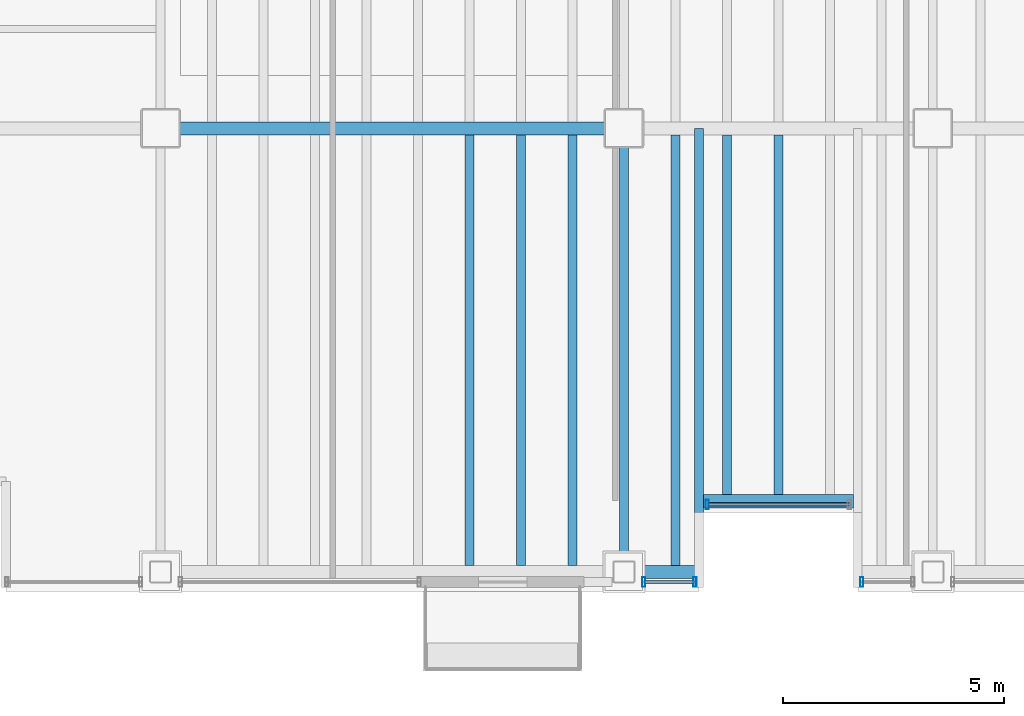
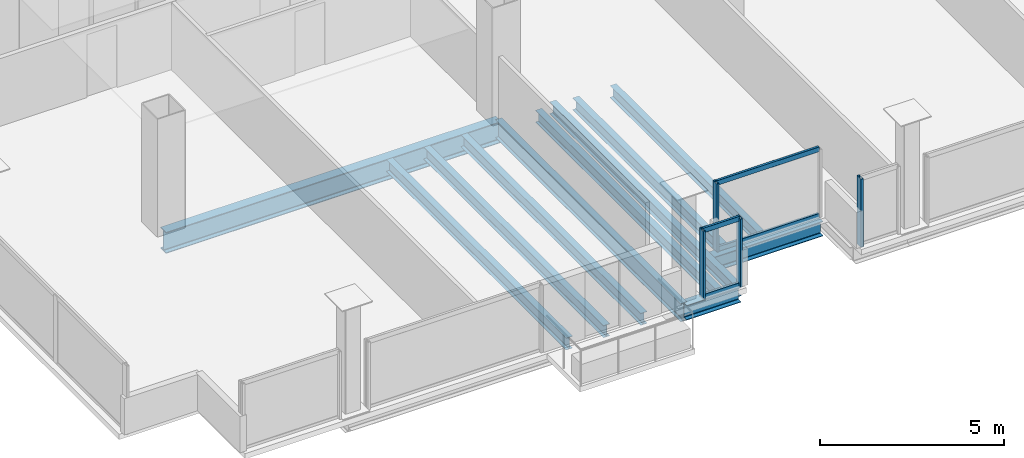
# One storey, part 4 of 21: 11 beams, 8 members, 3 elements without a shape of their own.
"""IFC4 building model written with IfcOpenShell, lengths in metres."""

import ifcopenshell
import ifcopenshell.guid

model = None  # the IFC model being written
_history = None  # IfcOwnerHistory: only IFC2X3 demands one
_inside = {}  # id of a spatial element -> (the spatial element, [elements in it])
_under = {}  # id of a project, library or spatial element -> (it, [spatial elements below it])
_declared = {}  # id of a project -> (the project, [libraries it declares])
_typed = {}  # id of a type object -> (the type object, [elements of that type])
_made_of = {}  # id of a material, layer set ... -> (it, [elements and type objects made of it])


def new_model(schema):
    """Start an empty IFC model of exactly this schema.

    Asked for "IFC4X3", IfcOpenShell would pick the latest addendum, in which some entities
    have other attributes; the version numbers below select the first issue.
    IFC2X3 requires an IfcOwnerHistory on every rooted entity: one is made here for all.
    """
    global model, _history
    if schema == "IFC4X3":
        model = ifcopenshell.file(schema_version=(4, 3, 0, 0))
    else:
        model = ifcopenshell.file(schema=schema)
    _inside.clear()
    _under.clear()
    _declared.clear()
    _typed.clear()
    _made_of.clear()
    _history = None
    if model.schema == "IFC2X3":
        org = make("IfcOrganization", Name="unknown")
        user = make(
            "IfcPersonAndOrganization",
            ThePerson=make("IfcPerson", FamilyName="unknown"),
            TheOrganization=org,
        )
        app = make(
            "IfcApplication",
            ApplicationDeveloper=org,
            Version="unknown",
            ApplicationFullName="unknown",
            ApplicationIdentifier="unknown",
        )
        _history = make(
            "IfcOwnerHistory",
            OwningUser=user,
            OwningApplication=app,
            ChangeAction="ADDED",
            CreationDate=0,
        )
    return model


def make(cls, **values):
    """One entity of the class cls with the attributes given. An attribute that is None is left unset."""
    return model.create_entity(
        cls, **{name: value for name, value in values.items() if value is not None}
    )


def rooted(cls, **values):
    """An entity with a GlobalId (a new one), such as an element, a storey or a relation."""
    return make(cls, GlobalId=ifcopenshell.guid.new(), OwnerHistory=_history, **values)


def si_unit(unit_type, name, prefix=None):
    """IfcSIUnit, for example si_unit("LENGTHUNIT", "METRE", prefix="MILLI")."""
    return make("IfcSIUnit", UnitType=unit_type, Prefix=prefix, Name=name)


def assignment(units):
    """IfcUnitAssignment: the units of a project."""
    return None if units is None else make("IfcUnitAssignment", Units=units)


def point(xyz):
    """IfcCartesianPoint."""
    return None if xyz is None else make("IfcCartesianPoint", Coordinates=xyz)


def direction(xyz):
    """IfcDirection."""
    return None if xyz is None else make("IfcDirection", DirectionRatios=xyz)


def frame(location, z_axis=None, x_axis=None):
    """IfcAxis2Placement3D, a coordinate frame: its origin and axes. An axis left out is left unset."""
    return make(
        "IfcAxis2Placement3D",
        Location=point(location),
        Axis=direction(z_axis),
        RefDirection=direction(x_axis),
    )


def frame_2d(location, x_axis=None):
    """IfcAxis2Placement2D, a coordinate frame in the plane: its origin and x axis."""
    return make(
        "IfcAxis2Placement2D", Location=point(location), RefDirection=direction(x_axis)
    )


def origin():
    """The frame at (0, 0, 0) with its axes left unset."""
    return frame((0.0, 0.0, 0.0))


def origin_2d():
    """The frame at (0, 0) in the plane with its x axis left unset."""
    return frame_2d((0.0, 0.0))


def place(relative_to, where):
    """IfcLocalPlacement: puts the frame where relative to a parent placement (None: the world)."""
    return make(
        "IfcLocalPlacement", PlacementRelTo=relative_to, RelativePlacement=where
    )


def context(
    kind, dimensions, precision=None, world=None, true_north=None, identifier=None
):
    """IfcGeometricRepresentationContext, for example the 3D "Model" context."""
    return make(
        "IfcGeometricRepresentationContext",
        ContextIdentifier=identifier,
        ContextType=kind,
        CoordinateSpaceDimension=dimensions,
        Precision=precision,
        WorldCoordinateSystem=world,
        TrueNorth=true_north,
    )


def subcontext(parent, identifier, kind, view, scale=None):
    """IfcGeometricRepresentationSubContext, for example "Body" below "Model"."""
    return make(
        "IfcGeometricRepresentationSubContext",
        ContextIdentifier=identifier,
        ContextType=kind,
        ParentContext=parent,
        TargetScale=scale,
        TargetView=view,
    )


def project(units=None, contexts=None):
    """IfcProject with its units and contexts."""
    return rooted(
        "IfcProject",
        Name="project",
        RepresentationContexts=contexts,
        UnitsInContext=assignment(units),
    )


def spatial(cls, under=None, at=None, **own):
    """A site, building, storey or space (cls), placed at a placement, below another one or the project."""
    s = rooted(cls, ObjectPlacement=at, **own)
    if under is not None:
        _under.setdefault(under.id(), (under, []))[1].append(s)
    return s


def profile(cls, at=None, kind="AREA", **sizes):
    """A parametric profile (cls). Its sizes go by their IFC names, for example OverallWidth=200.0."""
    return make(cls, ProfileType=kind, Position=at, **sizes)


def hollow_rectangle(**sizes):
    """IfcRectangleHollowProfileDef."""
    return profile("IfcRectangleHollowProfileDef", **sizes)


def i_section(**sizes):
    """IfcIShapeProfileDef."""
    return profile("IfcIShapeProfileDef", **sizes)


def extrude(swept, where, along, depth):
    """IfcExtrudedAreaSolid: the profile swept, set in the frame where, extruded along a direction by depth."""
    return make(
        "IfcExtrudedAreaSolid",
        SweptArea=swept,
        Position=where,
        ExtrudedDirection=direction(along),
        Depth=depth,
    )


def shape(context_of_items, identifier, shape_type, items):
    """IfcShapeRepresentation: the items that make up one representation, for example the "Body"."""
    return make(
        "IfcShapeRepresentation",
        ContextOfItems=context_of_items,
        RepresentationIdentifier=identifier,
        RepresentationType=shape_type,
        Items=items,
    )


def material(Name=None, Category=None):
    """IfcMaterial."""
    return make("IfcMaterial", Name=Name, Category=Category)


def material_profile(
    of_material, cross_section, Name=None, Category=None, Priority=None
):
    """IfcMaterialProfile: a cross section and its material."""
    return make(
        "IfcMaterialProfile",
        Name=Name,
        Material=of_material,
        Profile=cross_section,
        Priority=Priority,
        Category=Category,
    )


def profile_set(profiles, Name=None, composite=None):
    """IfcMaterialProfileSet."""
    return make(
        "IfcMaterialProfileSet",
        Name=Name,
        MaterialProfiles=profiles,
        CompositeProfile=composite,
    )


def made_of(thing, what):
    """Note that an element or type object is made of a material, layer set ...; save() writes the relation."""
    if what is not None:
        _made_of.setdefault(what.id(), (what, []))[1].append(thing)
    return thing


def type_object(cls, material=None, **own):
    """A type object (cls), such as IfcWallType, which elements share."""
    return made_of(rooted(cls, **own), material)


def element(
    cls,
    number,
    at=None,
    inside=None,
    cuts=None,
    type_object=None,
    material=None,
    context=None,
    identifier="Body",
    shape_type=None,
    held_by="IfcProductDefinitionShape",
    body=None,
    shapes=None,
    **own,
):
    """One element of the class cls, such as IfcWall. Its Tag is "e" and its number.

    at: its placement. inside: the storey or other place that contains it. cuts: it is an
    opening in that element (IfcRelVoidsElement). A single representation is given by context,
    identifier, shape_type and body (its items); several are given by shapes. held_by: the class
    of the entity that holds the representations. save() writes the other relations.
    """
    e = rooted(cls, Tag="e%d" % number, ObjectPlacement=at, **own)
    if body is not None:
        shapes = [shape(context, identifier, shape_type, body)]
    if shapes is not None:
        e.Representation = make(held_by, Representations=shapes)
    if inside is not None:
        _inside.setdefault(inside.id(), (inside, []))[1].append(e)
    if cuts is not None:
        rooted(
            "IfcRelVoidsElement", RelatingBuildingElement=cuts, RelatedOpeningElement=e
        )
    if type_object is not None:
        _typed.setdefault(type_object.id(), (type_object, []))[1].append(e)
    return made_of(e, material)


def aggregate(whole, parts):
    """IfcRelAggregates: a whole, such as a stair, and the parts it consists of."""
    return rooted("IfcRelAggregates", RelatingObject=whole, RelatedObjects=parts)


def save(model, path):
    """Write the relations noted so far, then the file.

    IfcRelAggregates (storeys below a building ...), IfcRelContainedInSpatialStructure (elements
    in a storey), IfcRelDefinesByType, IfcRelAssociatesMaterial and IfcRelDeclares: one each for
    every whole, place, type object, material and project.
    """
    for whole, parts in _under.values():
        aggregate(whole, parts)
    for where, things in _inside.values():
        rooted(
            "IfcRelContainedInSpatialStructure",
            RelatedElements=things,
            RelatingStructure=where,
        )
    for kind, things in _typed.values():
        rooted("IfcRelDefinesByType", RelatedObjects=things, RelatingType=kind)
    for what, things in _made_of.values():
        rooted("IfcRelAssociatesMaterial", RelatedObjects=things, RelatingMaterial=what)
    for by, libraries in _declared.values():
        rooted("IfcRelDeclares", RelatingContext=by, RelatedDefinitions=libraries)
    model.write(path)


model = new_model("IFC4")

# Units and contexts
model_context = context("Model", 3, precision=1e-05, world=origin(), true_north=direction((0.0, 1.0)))
body_context = subcontext(model_context, "Body", "Model", "MODEL_VIEW")
ifc_project = project(units=[si_unit("LENGTHUNIT", "METRE"), si_unit("AREAUNIT", "SQUARE_METRE"), si_unit("VOLUMEUNIT", "CUBIC_METRE"), si_unit("PLANEANGLEUNIT", "RADIAN"), si_unit("MASSUNIT", "GRAM", prefix="KILO")], contexts=[model_context])

# Site, building, storey
site_placement = place(None, origin())
site = spatial("IfcSite", under=ifc_project, at=site_placement, CompositionType="ELEMENT")
building_placement = place(site_placement, origin())
building = spatial("IfcBuilding", under=site, at=building_placement, Name="Noeulbin Bourse Tower", CompositionType="ELEMENT")
storey_placement = place(building_placement, frame((0.0, 0.0, 111.0)))
storey = spatial("IfcBuildingStorey", under=building, at=storey_placement, Name="L27", CompositionType="ELEMENT", Elevation=111.0)

# Beams
ifc_material_1 = material(Name="Steel S355", Category="steel")
ifc_material_profile_1 = material_profile(ifc_material_1, i_section(OverallWidth=0.199951171875, OverallDepth=0.60009765625, WebThickness=0.010986328125, FlangeThickness=0.01708984375, FilletRadius=0.02197265625, at=origin_2d()), Name="H-600x200x11x17", Category="LoadBearing")
ifc_profile_set_1 = profile_set([ifc_material_profile_1], Name="Steel S355")
beam_type_1 = type_object("IfcBeamType", Name="BM-GRD-600", PredefinedType="USERDEFINED", material=ifc_profile_set_1)
beam_1_placement = place(storey_placement, frame((24.0, 9.949951171875, -0.47998046875), z_axis=(0.0, 1.0, 0.0), x_axis=(-1.0, 0.0, 0.0)))
element("IfcBeam", 1, at=beam_1_placement, inside=storey, type_object=beam_type_1, Name="Tower Primary Girder NS L27-2.1", ObjectType="GIRDER", PredefinedType="USERDEFINED", context=body_context, shape_type="SweptSolid", body=[
    extrude(i_section(OverallWidth=0.199951171875, OverallDepth=0.60009765625, WebThickness=0.010986328125, FlangeThickness=0.01708984375, FilletRadius=0.02197265625, at=origin_2d()), origin(), (0.0, 0.0, 1.0), 10.050048828125),
])
ifc_material_profile_2 = material_profile(ifc_material_1, i_section(OverallWidth=0.300048828125, OverallDepth=0.699951171875, WebThickness=0.012939453125, FlangeThickness=0.02392578125, FilletRadius=0.02392578125, at=origin_2d()), Name="H-700x300x13x24", Category="LoadBearing")
ifc_profile_set_2 = profile_set([ifc_material_profile_2], Name="Steel S355")
beam_type_2 = type_object("IfcBeamType", Name="BM-GRD-700", PredefinedType="USERDEFINED", material=ifc_profile_set_2)
beam_2_placement = place(storey_placement, frame((13.5, 20.0, -0.530029296875), z_axis=(1.0, 0.0, 0.0), x_axis=(0.0, 1.0, 0.0)))
element("IfcBeam", 2, at=beam_2_placement, inside=storey, type_object=beam_type_2, Name="Tower Primary Girder EW L27-1.2", ObjectType="GIRDER", PredefinedType="USERDEFINED", context=body_context, shape_type="SweptSolid", body=[
    extrude(i_section(OverallWidth=0.300048828125, OverallDepth=0.699951171875, WebThickness=0.012939453125, FlangeThickness=0.02392578125, FilletRadius=0.02392578125, at=origin_2d()), origin(), (0.0, 0.0, 1.0), 10.5),
])
ifc_material_profile_3 = material_profile(ifc_material_1, i_section(OverallWidth=0.199951171875, OverallDepth=0.39990234375, WebThickness=0.008056640625, FlangeThickness=0.012939453125, FilletRadius=0.01611328125, at=origin_2d()), Name="H-400x200x8x13", Category="LoadBearing")
ifc_profile_set_3 = profile_set([ifc_material_profile_3], Name="Steel S355")
beam_type_3 = type_object("IfcBeamType", Name="BM-SEC-400", PredefinedType="BEAM", material=ifc_profile_set_3)
beam_3_placement = place(storey_placement, frame((25.699951171875, 9.949951171875, -0.3798828125), z_axis=(0.0, 1.0, 0.0), x_axis=(-1.0, 0.0, 0.0)))
element("IfcBeam", 3, at=beam_3_placement, inside=storey, type_object=beam_type_3, Name="BM-L27-SRT-W", PredefinedType="BEAM", context=body_context, shape_type="SweptSolid", body=[
    extrude(i_section(OverallWidth=0.199951171875, OverallDepth=0.39990234375, WebThickness=0.008056640625, FlangeThickness=0.012939453125, FilletRadius=0.01611328125, at=origin_2d()), origin(), (0.0, 0.0, 1.0), 10.050048828125),
])
for number, where, z_axis, x_axis, name in (
    (4, (20.5, 10.10009765625, -0.3798828125), (0.0, 1.0, 0.0), (-1.0, 0.0, 0.0), "Tower Composite Joist L27-16"),
    (5, (21.666748046875, 10.10009765625, -0.3798828125), (0.0, 1.0, 0.0), (-1.0, 0.0, 0.0), "Tower Composite Joist L27-19"),
    (6, (22.833251953125, 10.10009765625, -0.3798828125), (0.0, 1.0, 0.0), (-1.0, 0.0, 0.0), "Tower Composite Joist L27-22"),
    (7, (25.166748046875, 10.10009765625, -0.3798828125), (0.0, 1.0, 0.0), (-1.0, 0.0, 0.0), "Tower Composite Joist L27-25"),
):
    element("IfcBeam", number, at=place(storey_placement, frame(where, z_axis=z_axis, x_axis=x_axis)), inside=storey, type_object=beam_type_3, Name=name, PredefinedType="BEAM", context=body_context, shape_type="SweptSolid", body=[
        extrude(i_section(OverallWidth=0.199951171875, OverallDepth=0.39990234375, WebThickness=0.008056640625, FlangeThickness=0.012939453125, FilletRadius=0.01611328125, at=origin_2d()), origin(), (0.0, 0.0, 1.0), 9.75),
    ])
for number, where, z_axis, x_axis, name in (
    (8, (26.333251953125, 11.699951171875, -0.3798828125), (0.0, 1.0, 0.0), (-1.0, 0.0, 0.0), "Tower Composite Joist L27-28"),
    (9, (27.5, 11.699951171875, -0.3798828125), (0.0, 1.0, 0.0), (-1.0, 0.0, 0.0), "Tower Composite Joist L27-31"),
):
    element("IfcBeam", number, at=place(storey_placement, frame(where, z_axis=z_axis, x_axis=x_axis)), inside=storey, type_object=beam_type_3, Name=name, PredefinedType="BEAM", context=body_context, shape_type="SweptSolid", body=[
        extrude(i_section(OverallWidth=0.199951171875, OverallDepth=0.39990234375, WebThickness=0.008056640625, FlangeThickness=0.012939453125, FilletRadius=0.01611328125, at=origin_2d()), origin(), (0.0, 0.0, 1.0), 8.150146484375),
    ])
ifc_material_profile_4 = material_profile(ifc_material_1, i_section(OverallWidth=0.300048828125, OverallDepth=0.488037109375, WebThickness=0.010986328125, FlangeThickness=0.01806640625, FilletRadius=0.02197265625, at=origin_2d()), Name="H-488x300x11x18", Category="LoadBearing")
ifc_profile_set_4 = profile_set([ifc_material_profile_4], Name="Steel S355")
beam_type_4 = type_object("IfcBeamType", Name="BM-SPN-488", PredefinedType="SPANDREL", material=ifc_profile_set_4)
beam_4_placement = place(storey_placement, frame((25.800048828125, 11.550048828125, -0.424072265625), z_axis=(1.0, 0.0, 0.0), x_axis=(0.0, 1.0, 0.0)))
element("IfcBeam", 10, at=beam_4_placement, inside=storey, type_object=beam_type_4, Name="South Recess Spandrel L27-2B", PredefinedType="SPANDREL", context=body_context, shape_type="SweptSolid", body=[
    extrude(i_section(OverallWidth=0.300048828125, OverallDepth=0.488037109375, WebThickness=0.010986328125, FlangeThickness=0.01806640625, FilletRadius=0.02197265625, at=origin_2d()), origin(), (0.0, 0.0, 1.0), 3.39990234375),
])
beam_5_placement = place(storey_placement, frame((24.0, 9.949951171875, -0.424072265625), z_axis=(1.0, 0.0, 0.0), x_axis=(0.0, 1.0, 0.0)))
element("IfcBeam", 11, at=beam_5_placement, inside=storey, type_object=beam_type_4, Name="South Spandrel L27-2A", PredefinedType="SPANDREL", context=body_context, shape_type="SweptSolid", body=[
    extrude(i_section(OverallWidth=0.300048828125, OverallDepth=0.488037109375, WebThickness=0.010986328125, FlangeThickness=0.01806640625, FilletRadius=0.02197265625, at=origin_2d()), origin(), (0.0, 0.0, 1.0), 1.699951171875),
])

# Curtain wall, member
ifc_material_2 = material(Name="Dark Tinted Triple Glazing", Category="glass")
curtain_wall_type = type_object("IfcCurtainWallType", Name="CW-SYS-3", PredefinedType="NOTDEFINED", material=ifc_material_2)
curtain_wall_1_placement = place(storey_placement, origin())
curtain_wall_1 = element("IfcCurtainWall", 12, at=curtain_wall_1_placement, inside=storey, type_object=curtain_wall_type, Name="Unitised Curtain Wall CW-L27-SREC", PredefinedType="NOTDEFINED")
ifc_material_3 = material(Name="Anodised Aluminium 6063-T6", Category="aluminium")
ifc_material_profile_5 = material_profile(ifc_material_3, hollow_rectangle(XDim=0.074951171875, YDim=0.219970703125, WallThickness=0.0048828125, InnerFilletRadius=0.00244140625, OuterFilletRadius=0.0048828125, at=origin_2d()), Name="ALU-MULL-75x220x5", Category="LoadBearing")
ifc_profile_set_5 = profile_set([ifc_material_profile_5], Name="Anodised Aluminium 6063-T6")
member_type_1 = type_object("IfcMemberType", Name="CW-SYS-3-MUL", PredefinedType="MULLION", material=ifc_profile_set_5)
member_1_placement = place(storey_placement, frame((25.889892578125, 11.47998046875, -0.02001953125), z_axis=(0.0, 0.0, 1.0), x_axis=(1.0, 0.0, 0.0)))
member_1 = element("IfcMember", 13, at=member_1_placement, type_object=member_type_1, Name="Curtain Wall Mullion CW-L27-SREC-M00", PredefinedType="MULLION", context=body_context, shape_type="SweptSolid", body=[
    extrude(hollow_rectangle(XDim=0.074951171875, YDim=0.219970703125, WallThickness=0.0048828125, InnerFilletRadius=0.00244140625, OuterFilletRadius=0.0048828125, at=origin_2d()), origin(), (0.0, 0.0, 1.0), 2.260009765625),
])

# Curtain wall, members
curtain_wall_2_placement = place(storey_placement, origin())
curtain_wall_2 = element("IfcCurtainWall", 14, at=curtain_wall_2_placement, inside=storey, type_object=curtain_wall_type, Name="Unitised Curtain Wall CW-L27-S2", PredefinedType="NOTDEFINED")
member_2_placement = place(storey_placement, frame((24.449951171875, 9.719970703125, -0.02001953125), z_axis=(0.0, 0.0, 1.0), x_axis=(1.0, 0.0, 0.0)))
member_2 = element("IfcMember", 15, at=member_2_placement, type_object=member_type_1, Name="Curtain Wall Mullion CW-L27-S2-M00", PredefinedType="MULLION", context=body_context, shape_type="SweptSolid", body=[
    extrude(hollow_rectangle(XDim=0.074951171875, YDim=0.219970703125, WallThickness=0.0048828125, InnerFilletRadius=0.00244140625, OuterFilletRadius=0.0048828125, at=origin_2d()), origin(), (0.0, 0.0, 1.0), 2.260009765625),
])
member_3_placement = place(storey_placement, frame((25.610107421875, 9.719970703125, -0.02001953125), z_axis=(0.0, 0.0, 1.0), x_axis=(1.0, 0.0, 0.0)))
member_3 = element("IfcMember", 16, at=member_3_placement, type_object=member_type_1, Name="Curtain Wall Mullion CW-L27-S2-M01", PredefinedType="MULLION", context=body_context, shape_type="SweptSolid", body=[
    extrude(hollow_rectangle(XDim=0.074951171875, YDim=0.219970703125, WallThickness=0.0048828125, InnerFilletRadius=0.00244140625, OuterFilletRadius=0.0048828125, at=origin_2d()), origin(), (0.0, 0.0, 1.0), 2.260009765625),
])

# Curtain wall, member
curtain_wall_3_placement = place(storey_placement, origin())
curtain_wall_3 = element("IfcCurtainWall", 17, at=curtain_wall_3_placement, inside=storey, type_object=curtain_wall_type, Name="Unitised Curtain Wall CW-L27-S3-S1", PredefinedType="NOTDEFINED")
member_4_placement = place(storey_placement, frame((29.389892578125, 9.719970703125, -0.02001953125), z_axis=(0.0, 0.0, 1.0), x_axis=(1.0, 0.0, 0.0)))
member_4 = element("IfcMember", 18, at=member_4_placement, type_object=member_type_1, Name="Curtain Wall Mullion CW-L27-S3-S1-M00", PredefinedType="MULLION", context=body_context, shape_type="SweptSolid", body=[
    extrude(hollow_rectangle(XDim=0.074951171875, YDim=0.219970703125, WallThickness=0.0048828125, InnerFilletRadius=0.00244140625, OuterFilletRadius=0.0048828125, at=origin_2d()), origin(), (0.0, 0.0, 1.0), 2.260009765625),
])
aggregate(curtain_wall_3, [member_4])

# Member
ifc_material_profile_6 = material_profile(ifc_material_3, hollow_rectangle(XDim=0.074951171875, YDim=0.159912109375, WallThickness=0.0048828125, InnerFilletRadius=0.00244140625, OuterFilletRadius=0.0048828125, at=origin_2d()), Name="ALU-TRAN-75x160x5", Category="LoadBearing")
ifc_profile_set_6 = profile_set([ifc_material_profile_6], Name="Anodised Aluminium 6063-T6")
member_type_2 = type_object("IfcMemberType", Name="CW-SYS-3-TRN", PredefinedType="USERDEFINED", material=ifc_profile_set_6)
member_5_placement = place(storey_placement, frame((25.89990234375, 11.47998046875, 0.010009765625), z_axis=(1.0, 0.0, 0.0), x_axis=(0.0, 1.0, 0.0)))
member_5 = element("IfcMember", 19, at=member_5_placement, type_object=member_type_2, Name="Curtain Wall Transom CW-L27-SREC-T00", ObjectType="TRANSOM", PredefinedType="USERDEFINED", context=body_context, shape_type="SweptSolid", body=[
    extrude(hollow_rectangle(XDim=0.074951171875, YDim=0.159912109375, WallThickness=0.0048828125, InnerFilletRadius=0.00244140625, OuterFilletRadius=0.0048828125, at=origin_2d()), origin(), (0.0, 0.0, 1.0), 3.2001953125),
])

member_6_placement = place(storey_placement, frame((25.89990234375, 11.47998046875, 2.2099609375), z_axis=(1.0, 0.0, 0.0), x_axis=(0.0, 1.0, 0.0)))
member_6 = element("IfcMember", 20, at=member_6_placement, type_object=member_type_2, Name="Curtain Wall Transom CW-L27-SREC-T01", ObjectType="TRANSOM", PredefinedType="USERDEFINED", context=body_context, shape_type="SweptSolid", body=[
    extrude(hollow_rectangle(XDim=0.074951171875, YDim=0.159912109375, WallThickness=0.0048828125, InnerFilletRadius=0.00244140625, OuterFilletRadius=0.0048828125, at=origin_2d()), origin(), (0.0, 0.0, 1.0), 3.2001953125),
])

aggregate(curtain_wall_1, [member_1, member_5, member_6])

member_7_placement = place(storey_placement, frame((24.4599609375, 9.719970703125, 0.010009765625), z_axis=(1.0, 0.0, 0.0), x_axis=(0.0, 1.0, 0.0)))
member_7 = element("IfcMember", 21, at=member_7_placement, type_object=member_type_2, Name="Curtain Wall Transom CW-L27-S2-T00", ObjectType="TRANSOM", PredefinedType="USERDEFINED", context=body_context, shape_type="SweptSolid", body=[
    extrude(hollow_rectangle(XDim=0.074951171875, YDim=0.159912109375, WallThickness=0.0048828125, InnerFilletRadius=0.00244140625, OuterFilletRadius=0.0048828125, at=origin_2d()), origin(), (0.0, 0.0, 1.0), 1.14013671875),
])

member_8_placement = place(storey_placement, frame((24.4599609375, 9.719970703125, 2.2099609375), z_axis=(1.0, 0.0, 0.0), x_axis=(0.0, 1.0, 0.0)))
member_8 = element("IfcMember", 22, at=member_8_placement, type_object=member_type_2, Name="Curtain Wall Transom CW-L27-S2-T01", ObjectType="TRANSOM", PredefinedType="USERDEFINED", context=body_context, shape_type="SweptSolid", body=[
    extrude(hollow_rectangle(XDim=0.074951171875, YDim=0.159912109375, WallThickness=0.0048828125, InnerFilletRadius=0.00244140625, OuterFilletRadius=0.0048828125, at=origin_2d()), origin(), (0.0, 0.0, 1.0), 1.14013671875),
])

aggregate(curtain_wall_2, [member_2, member_3, member_7, member_8])

save(model, "model.ifc")
